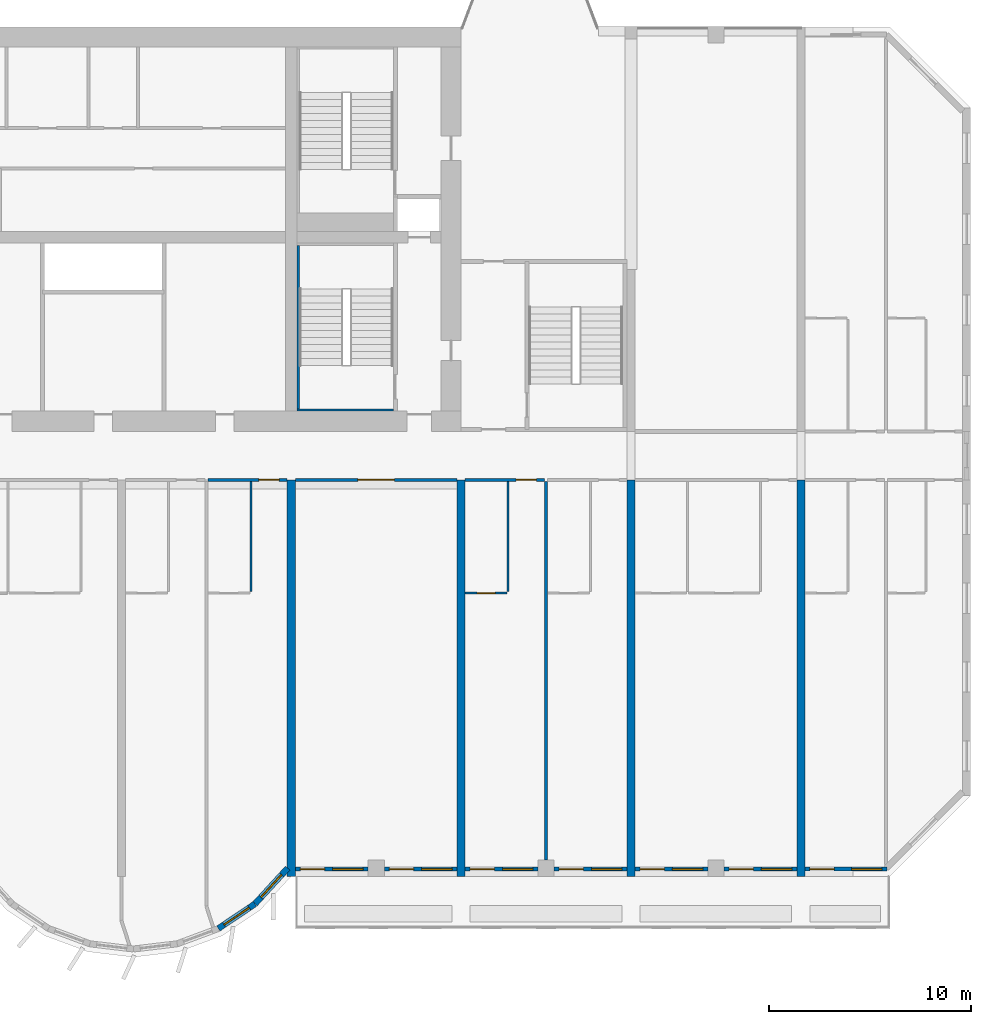
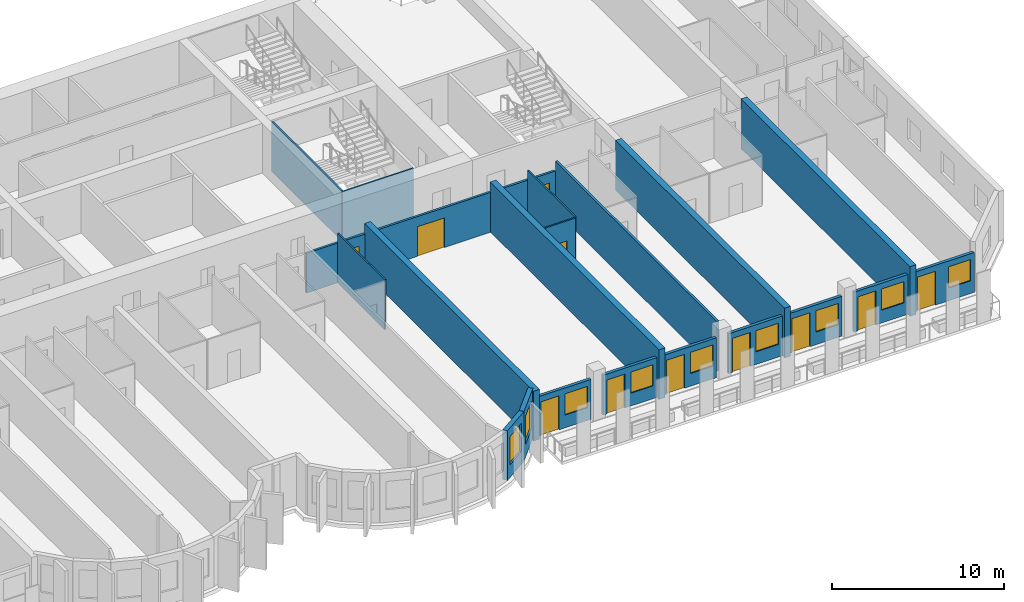
# One storey, part 8 of 14: 22 walls, 11 doors, 9 windows, 20 openings.
"""IFC4 building model written with IfcOpenShell, lengths in metres."""

from ifc_helpers import new_model, si_unit, direction, frame, frame_2d, origin, place, context, subcontext, project, spatial, rectangle, extrude, source, transform, mapped, material, layer, layer_set, type_object, element, fill, save


model = new_model("IFC4")

# Units and contexts
model_context = context("Model", 3, precision=1e-05, world=origin(), true_north=direction((0.0, 1.0)))
body_context = subcontext(model_context, "Body", "Model", "MODEL_VIEW")
ifc_project = project(units=[si_unit("LENGTHUNIT", "METRE"), si_unit("AREAUNIT", "SQUARE_METRE"), si_unit("VOLUMEUNIT", "CUBIC_METRE"), si_unit("PLANEANGLEUNIT", "RADIAN"), si_unit("MASSUNIT", "GRAM", prefix="KILO")], contexts=[model_context])

# Site, building, storey
site_placement = place(None, origin())
site = spatial("IfcSite", under=ifc_project, at=site_placement, CompositionType="ELEMENT")
building_placement = place(site_placement, origin())
building = spatial("IfcBuilding", under=site, at=building_placement, Name="Vanashikhar Sky Hotel", CompositionType="ELEMENT")
storey_placement = place(building_placement, frame((0.0, 0.0, 73.39990234375)))
storey = spatial("IfcBuildingStorey", under=building, at=storey_placement, Name="L17", CompositionType="ELEMENT", Elevation=73.39990234375)

# Walls
ifc_material_1 = material(Name="Concrete M80", Category="concrete")
ifc_layer_1 = layer(ifc_material_1, 0.39990234375)
ifc_layer_set_1 = layer_set([ifc_layer_1], Name="RC shear wall 400 Concrete M80")
wall_type_1 = type_object("IfcWallType", Name="RC shear wall 400 Concrete M80", PredefinedType="SHEAR", material=ifc_layer_set_1)
shared_shape_1 = source(origin(), body_context, "Body", "SweptSolid", [
    extrude(rectangle(XDim=19.60009765625, YDim=0.39990234375, at=frame_2d((9.800048828125, 0.0))), origin(), (0.0, 0.0, 1.0), 3.52001953125),
])
for number, where, z_axis, x_axis, name in (
    (1, (67.199951171875, 0.0, 0.0), (0.0, 0.0, 1.0), (0.0, 1.0, 0.0), "CW-L17-XW09-1"),
    (2, (75.60009765625, 0.0, 0.0), (0.0, 0.0, 1.0), (0.0, 1.0, 0.0), "CW-L17-XW10-1"),
    (3, (84.0, 0.0, 0.0), (0.0, 0.0, 1.0), (0.0, 1.0, 0.0), "CW-L17-XW11-1"),
    (4, (92.39990234375, 0.0, 0.0), (0.0, 0.0, 1.0), (0.0, 1.0, 0.0), "CW-L17-XW12-1"),
):
    element("IfcWall", number, at=place(storey_placement, frame(where, z_axis=z_axis, x_axis=x_axis)), inside=storey, type_object=wall_type_1, Name=name, PredefinedType="SHEAR", context=body_context, shape_type="MappedRepresentation", body=[
        mapped(shared_shape_1, transform((0.0, 0.0, 0.0), scale=1.0)),
    ])

# Wall, opening, window
ifc_material_2 = material(Name="Concrete M50", Category="concrete")
ifc_layer_2 = layer(ifc_material_2, 0.300048828125)
ifc_layer_set_2 = layer_set([ifc_layer_2], Name="Lobe wall 300")
wall_type_2 = type_object("IfcWallType", Name="Lobe wall 300", PredefinedType="SOLIDWALL", material=ifc_layer_set_2)
shared_shape_2 = source(origin(), body_context, "Body", "SweptSolid", [
    extrude(rectangle(XDim=2.398193359375, YDim=0.300048828125, at=frame_2d((1.19921875, 0.0))), origin(), (0.0, 0.0, 1.0), 3.52001953125),
])
wall_1_placement = place(storey_placement, frame((65.404296875, -1.36865234375, 0.0), z_axis=(0.0, 0.0, 1.0), x_axis=(0.675374189419, 0.737475222815, 0.0)))
wall_1 = element("IfcWall", 5, at=wall_1_placement, inside=storey, type_object=wall_type_2, Name="Lobe wall", PredefinedType="SOLIDWALL", context=body_context, shape_type="MappedRepresentation", body=[
    mapped(shared_shape_2, transform((0.0, 0.0, 0.0), scale=1.0)),
])
shared_shape_3 = source(origin(), body_context, "Body", "SweptSolid", [
    extrude(rectangle(XDim=1.5, YDim=2.0, at=frame_2d((0.75, 1.0))), frame((0.0, 0.16015625, 0.0), z_axis=(0.0, -1.0, 0.0), x_axis=(1.0, 0.0, 0.0)), (0.0, 0.0, 1.0), 0.320068359375),
])
opening_1_placement = place(wall_1_placement, frame((0.44921875, 0.0, 0.89990234375)))
opening_1 = element("IfcOpeningElement", 6, at=opening_1_placement, cuts=wall_1, Name="Opening WN-2", PredefinedType="OPENING", context=body_context, shape_type="MappedRepresentation", body=[
    mapped(shared_shape_3, transform((0.0, 0.0, 0.0), scale=1.0)),
])
ifc_material_3 = material(Name="Glass", Category="glass")
window_type_1 = type_object("IfcWindowType", Name="Lobe window 1500 x 2000", PartitioningType="SINGLE_PANEL", PredefinedType="WINDOW", material=ifc_material_3)
shared_shape_4 = source(origin(), body_context, "Body", "SweptSolid", [
    extrude(rectangle(XDim=1.5, YDim=2.0, at=frame_2d((0.75, 1.0))), frame((0.0, 0.030029296875, 0.0), z_axis=(0.0, -1.0, 0.0), x_axis=(1.0, 0.0, 0.0)), (0.0, 0.0, 1.0), 0.06005859375),
])
window_1_placement = place(opening_1_placement, origin())
window_1 = element("IfcWindow", 7, at=window_1_placement, inside=storey, type_object=window_type_1, Name="Window WN-2", OverallHeight=2.0, OverallWidth=1.5, PartitioningType="SINGLE_PANEL", PredefinedType="WINDOW", context=body_context, shape_type="MappedRepresentation", body=[
    mapped(shared_shape_4, transform((0.0, 0.0, 0.0), scale=1.0)),
])
fill(opening_1, window_1)

shared_shape_5 = source(origin(), body_context, "Body", "SweptSolid", [
    extrude(rectangle(XDim=2.17578125, YDim=0.300048828125, at=frame_2d((1.087890625, 0.0))), origin(), (0.0, 0.0, 1.0), 3.52001953125),
])
wall_2_placement = place(storey_placement, frame((63.59912109375, -2.58349609375, 0.0), z_axis=(0.0, 0.0, 1.0), x_axis=(0.829625727223, 0.558319937607, 0.0)))
wall_2 = element("IfcWall", 8, at=wall_2_placement, inside=storey, type_object=wall_type_2, Name="Lobe wall", PredefinedType="SOLIDWALL", context=body_context, shape_type="MappedRepresentation", body=[
    mapped(shared_shape_5, transform((0.0, 0.0, 0.0), scale=1.0)),
])
opening_2_placement = place(wall_2_placement, frame((0.337890625, 0.0, 0.89990234375)))
opening_2 = element("IfcOpeningElement", 9, at=opening_2_placement, cuts=wall_2, Name="Opening WN-2", PredefinedType="OPENING", context=body_context, shape_type="MappedRepresentation", body=[
    mapped(shared_shape_3, transform((0.0, 0.0, 0.0), scale=1.0)),
])
window_2_placement = place(opening_2_placement, origin())
window_2 = element("IfcWindow", 10, at=window_2_placement, inside=storey, type_object=window_type_1, Name="Window WN-2", OverallHeight=2.0, OverallWidth=1.5, PartitioningType="SINGLE_PANEL", PredefinedType="WINDOW", context=body_context, shape_type="MappedRepresentation", body=[
    mapped(shared_shape_4, transform((0.0, 0.0, 0.0), scale=1.0)),
])
fill(opening_2, window_2)

# Wall, openings, window, door
ifc_layer_3 = layer(ifc_material_2, 0.199951171875)
ifc_layer_set_3 = layer_set([ifc_layer_3], Name="Front window wall 200")
wall_type_3 = type_object("IfcWallType", Name="Front window wall 200", PredefinedType="SOLIDWALL", material=ifc_layer_set_3)
shared_shape_6 = source(origin(), body_context, "Body", "SweptSolid", [
    extrude(rectangle(XDim=4.054931640625, YDim=0.199951171875, at=frame_2d((2.02734375, 0.0))), origin(), (0.0, 0.0, 1.0), 2.820068359375),
])
wall_3_placement = place(storey_placement, frame((92.60009765625, 0.35009765625, 0.0), z_axis=(0.0, 0.0, 1.0), x_axis=(1.0, 0.0, 0.0)))
wall_3 = element("IfcWall", 11, at=wall_3_placement, inside=storey, type_object=wall_type_3, Name="Front window wall", PredefinedType="SOLIDWALL", context=body_context, shape_type="MappedRepresentation", body=[
    mapped(shared_shape_6, transform((0.0, 0.0, 0.0), scale=1.0)),
])
shared_shape_7 = source(origin(), body_context, "Body", "SweptSolid", [
    extrude(rectangle(XDim=1.199951171875, YDim=2.39990234375, at=frame_2d((0.60009765625, 1.199951171875))), frame((0.0, 0.10986328125, 0.0), z_axis=(0.0, -1.0, 0.0), x_axis=(1.0, 0.0, 0.0)), (0.0, 0.0, 1.0), 0.219970703125),
])
opening_3_placement = place(wall_3_placement, frame((0.25, 0.0, 0.0)))
opening_3 = element("IfcOpeningElement", 12, at=opening_3_placement, cuts=wall_3, Name="Opening BD-14", PredefinedType="OPENING", context=body_context, shape_type="MappedRepresentation", body=[
    mapped(shared_shape_7, transform((0.0, 0.0, 0.0), scale=1.0)),
])
shared_shape_8 = source(origin(), body_context, "Body", "SweptSolid", [
    extrude(rectangle(XDim=1.5, YDim=1.5, at=frame_2d((0.75, 0.75))), frame((0.0, 0.10986328125, 0.0), z_axis=(0.0, -1.0, 0.0), x_axis=(1.0, 0.0, 0.0)), (0.0, 0.0, 1.0), 0.219970703125),
])
opening_4_placement = place(wall_3_placement, frame((2.304931640625, 0.0, 0.89990234375)))
opening_4 = element("IfcOpeningElement", 13, at=opening_4_placement, cuts=wall_3, Name="Opening WN-1", PredefinedType="OPENING", context=body_context, shape_type="MappedRepresentation", body=[
    mapped(shared_shape_8, transform((0.0, 0.0, 0.0), scale=1.0)),
])
window_type_2 = type_object("IfcWindowType", Name="Window 1500 x 1500", PartitioningType="SINGLE_PANEL", PredefinedType="WINDOW", material=ifc_material_3)
shared_shape_9 = source(origin(), body_context, "Body", "SweptSolid", [
    extrude(rectangle(XDim=1.5, YDim=1.5, at=frame_2d((0.75, 0.75))), frame((0.0, 0.030029296875, 0.0), z_axis=(0.0, -1.0, 0.0), x_axis=(1.0, 0.0, 0.0)), (0.0, 0.0, 1.0), 0.06005859375),
])
window_3_placement = place(opening_4_placement, origin())
window_3 = element("IfcWindow", 14, at=window_3_placement, inside=storey, type_object=window_type_2, Name="Window WN-1", OverallHeight=1.5, OverallWidth=1.5, PartitioningType="SINGLE_PANEL", PredefinedType="WINDOW", context=body_context, shape_type="MappedRepresentation", body=[
    mapped(shared_shape_9, transform((0.0, 0.0, 0.0), scale=1.0)),
])
fill(opening_4, window_3)
ifc_material_4 = material(Name="Aluminium", Category="aluminium")
door_type_1 = type_object("IfcDoorType", Name="Balcony sliding door 1200 x 2400", OperationType="NOTDEFINED", PredefinedType="DOOR", material=ifc_material_4)
shared_shape_10 = source(origin(), body_context, "Body", "SweptSolid", [
    extrude(rectangle(XDim=1.199951171875, YDim=2.39990234375, at=frame_2d((0.60009765625, 1.199951171875))), frame((0.0, 0.02490234375, 0.0), z_axis=(0.0, -1.0, 0.0), x_axis=(1.0, 0.0, 0.0)), (0.0, 0.0, 1.0), 0.050048828125),
])
door_1_placement = place(opening_3_placement, origin())
door_1 = element("IfcDoor", 15, at=door_1_placement, inside=storey, type_object=door_type_1, Name="Balcony sliding door", OperationType="SLIDING_TO_RIGHT", OverallHeight=2.39990234375, OverallWidth=1.199951171875, PredefinedType="DOOR", context=body_context, shape_type="MappedRepresentation", body=[
    mapped(shared_shape_10, transform((0.0, 0.0, 0.0), scale=1.0)),
])
fill(opening_3, door_1)

shared_shape_11 = source(origin(), body_context, "Body", "SweptSolid", [
    extrude(rectangle(XDim=3.599853515625, YDim=0.199951171875, at=frame_2d((1.7998046875, 0.0))), origin(), (0.0, 0.0, 1.0), 2.820068359375),
])
wall_4_placement = place(storey_placement, frame((71.800048828125, 0.35009765625, 0.0), z_axis=(0.0, 0.0, 1.0), x_axis=(1.0, 0.0, 0.0)))
wall_4 = element("IfcWall", 16, at=wall_4_placement, inside=storey, type_object=wall_type_3, Name="Front window wall", PredefinedType="SOLIDWALL", context=body_context, shape_type="MappedRepresentation", body=[
    mapped(shared_shape_11, transform((0.0, 0.0, 0.0), scale=1.0)),
])
opening_5_placement = place(wall_4_placement, frame((0.25, 0.0, 0.0)))
opening_5 = element("IfcOpeningElement", 17, at=opening_5_placement, cuts=wall_4, Name="Opening BD-09", PredefinedType="OPENING", context=body_context, shape_type="MappedRepresentation", body=[
    mapped(shared_shape_7, transform((0.0, 0.0, 0.0), scale=1.0)),
])
opening_6_placement = place(wall_4_placement, frame((1.85009765625, 0.0, 0.89990234375)))
opening_6 = element("IfcOpeningElement", 18, at=opening_6_placement, cuts=wall_4, Name="Opening WN-1", PredefinedType="OPENING", context=body_context, shape_type="MappedRepresentation", body=[
    mapped(shared_shape_8, transform((0.0, 0.0, 0.0), scale=1.0)),
])
window_4_placement = place(opening_6_placement, origin())
window_4 = element("IfcWindow", 19, at=window_4_placement, inside=storey, type_object=window_type_2, Name="Window WN-1", OverallHeight=1.5, OverallWidth=1.5, PartitioningType="SINGLE_PANEL", PredefinedType="WINDOW", context=body_context, shape_type="MappedRepresentation", body=[
    mapped(shared_shape_9, transform((0.0, 0.0, 0.0), scale=1.0)),
])
fill(opening_6, window_4)
door_2_placement = place(opening_5_placement, origin())
door_2 = element("IfcDoor", 20, at=door_2_placement, inside=storey, type_object=door_type_1, Name="Balcony sliding door", OperationType="SLIDING_TO_LEFT", OverallHeight=2.39990234375, OverallWidth=1.199951171875, PredefinedType="DOOR", context=body_context, shape_type="MappedRepresentation", body=[
    mapped(shared_shape_10, transform((0.0, 0.0, 0.0), scale=1.0)),
])
fill(opening_5, door_2)

wall_5_placement = place(storey_placement, frame((75.800048828125, 0.35009765625, 0.0), z_axis=(0.0, 0.0, 1.0), x_axis=(1.0, 0.0, 0.0)))
wall_5 = element("IfcWall", 21, at=wall_5_placement, inside=storey, type_object=wall_type_3, Name="Front window wall", PredefinedType="SOLIDWALL", context=body_context, shape_type="MappedRepresentation", body=[
    mapped(shared_shape_11, transform((0.0, 0.0, 0.0), scale=1.0)),
])
opening_7_placement = place(wall_5_placement, frame((0.25, 0.0, 0.0)))
opening_7 = element("IfcOpeningElement", 22, at=opening_7_placement, cuts=wall_5, Name="Opening BD-10", PredefinedType="OPENING", context=body_context, shape_type="MappedRepresentation", body=[
    mapped(shared_shape_7, transform((0.0, 0.0, 0.0), scale=1.0)),
])
opening_8_placement = place(wall_5_placement, frame((1.85009765625, 0.0, 0.89990234375)))
opening_8 = element("IfcOpeningElement", 23, at=opening_8_placement, cuts=wall_5, Name="Opening WN-1", PredefinedType="OPENING", context=body_context, shape_type="MappedRepresentation", body=[
    mapped(shared_shape_8, transform((0.0, 0.0, 0.0), scale=1.0)),
])
window_5_placement = place(opening_8_placement, origin())
window_5 = element("IfcWindow", 24, at=window_5_placement, inside=storey, type_object=window_type_2, Name="Window WN-1", OverallHeight=1.5, OverallWidth=1.5, PartitioningType="SINGLE_PANEL", PredefinedType="WINDOW", context=body_context, shape_type="MappedRepresentation", body=[
    mapped(shared_shape_9, transform((0.0, 0.0, 0.0), scale=1.0)),
])
fill(opening_8, window_5)
door_3_placement = place(opening_7_placement, origin())
door_3 = element("IfcDoor", 25, at=door_3_placement, inside=storey, type_object=door_type_1, Name="Balcony sliding door", OperationType="SLIDING_TO_RIGHT", OverallHeight=2.39990234375, OverallWidth=1.199951171875, PredefinedType="DOOR", context=body_context, shape_type="MappedRepresentation", body=[
    mapped(shared_shape_10, transform((0.0, 0.0, 0.0), scale=1.0)),
])
fill(opening_7, door_3)

wall_6_placement = place(storey_placement, frame((88.60009765625, 0.35009765625, 0.0), z_axis=(0.0, 0.0, 1.0), x_axis=(1.0, 0.0, 0.0)))
wall_6 = element("IfcWall", 26, at=wall_6_placement, inside=storey, type_object=wall_type_3, Name="Front window wall", PredefinedType="SOLIDWALL", context=body_context, shape_type="MappedRepresentation", body=[
    mapped(shared_shape_11, transform((0.0, 0.0, 0.0), scale=1.0)),
])
opening_9_placement = place(wall_6_placement, frame((0.25, 0.0, 0.0)))
opening_9 = element("IfcOpeningElement", 27, at=opening_9_placement, cuts=wall_6, Name="Opening BD-13", PredefinedType="OPENING", context=body_context, shape_type="MappedRepresentation", body=[
    mapped(shared_shape_7, transform((0.0, 0.0, 0.0), scale=1.0)),
])
opening_10_placement = place(wall_6_placement, frame((1.85009765625, 0.0, 0.89990234375)))
opening_10 = element("IfcOpeningElement", 28, at=opening_10_placement, cuts=wall_6, Name="Opening WN-1", PredefinedType="OPENING", context=body_context, shape_type="MappedRepresentation", body=[
    mapped(shared_shape_8, transform((0.0, 0.0, 0.0), scale=1.0)),
])
window_6_placement = place(opening_10_placement, origin())
window_6 = element("IfcWindow", 29, at=window_6_placement, inside=storey, type_object=window_type_2, Name="Window WN-1", OverallHeight=1.5, OverallWidth=1.5, PartitioningType="SINGLE_PANEL", PredefinedType="WINDOW", context=body_context, shape_type="MappedRepresentation", body=[
    mapped(shared_shape_9, transform((0.0, 0.0, 0.0), scale=1.0)),
])
fill(opening_10, window_6)
door_4_placement = place(opening_9_placement, origin())
door_4 = element("IfcDoor", 30, at=door_4_placement, inside=storey, type_object=door_type_1, Name="Balcony sliding door", OperationType="SLIDING_TO_LEFT", OverallHeight=2.39990234375, OverallWidth=1.199951171875, PredefinedType="DOOR", context=body_context, shape_type="MappedRepresentation", body=[
    mapped(shared_shape_10, transform((0.0, 0.0, 0.0), scale=1.0)),
])
fill(opening_9, door_4)

shared_shape_12 = source(origin(), body_context, "Body", "SweptSolid", [
    extrude(rectangle(XDim=3.60009765625, YDim=0.199951171875, at=frame_2d((1.800048828125, 0.0))), origin(), (0.0, 0.0, 1.0), 2.820068359375),
])
wall_7_placement = place(storey_placement, frame((67.39990234375, 0.35009765625, 0.0), z_axis=(0.0, 0.0, 1.0), x_axis=(1.0, 0.0, 0.0)))
wall_7 = element("IfcWall", 31, at=wall_7_placement, inside=storey, type_object=wall_type_3, Name="Front window wall", PredefinedType="SOLIDWALL", context=body_context, shape_type="MappedRepresentation", body=[
    mapped(shared_shape_12, transform((0.0, 0.0, 0.0), scale=1.0)),
])
opening_11_placement = place(wall_7_placement, frame((0.25, 0.0, 0.0)))
opening_11 = element("IfcOpeningElement", 32, at=opening_11_placement, cuts=wall_7, Name="Opening BD-08", PredefinedType="OPENING", context=body_context, shape_type="MappedRepresentation", body=[
    mapped(shared_shape_7, transform((0.0, 0.0, 0.0), scale=1.0)),
])
opening_12_placement = place(wall_7_placement, frame((1.85009765625, 0.0, 0.89990234375)))
opening_12 = element("IfcOpeningElement", 33, at=opening_12_placement, cuts=wall_7, Name="Opening WN-1", PredefinedType="OPENING", context=body_context, shape_type="MappedRepresentation", body=[
    mapped(shared_shape_8, transform((0.0, 0.0, 0.0), scale=1.0)),
])
window_7_placement = place(opening_12_placement, origin())
window_7 = element("IfcWindow", 34, at=window_7_placement, inside=storey, type_object=window_type_2, Name="Window WN-1", OverallHeight=1.5, OverallWidth=1.5, PartitioningType="SINGLE_PANEL", PredefinedType="WINDOW", context=body_context, shape_type="MappedRepresentation", body=[
    mapped(shared_shape_9, transform((0.0, 0.0, 0.0), scale=1.0)),
])
fill(opening_12, window_7)
door_5_placement = place(opening_11_placement, origin())
door_5 = element("IfcDoor", 35, at=door_5_placement, inside=storey, type_object=door_type_1, Name="Balcony sliding door", OperationType="SLIDING_TO_RIGHT", OverallHeight=2.39990234375, OverallWidth=1.199951171875, PredefinedType="DOOR", context=body_context, shape_type="MappedRepresentation", body=[
    mapped(shared_shape_10, transform((0.0, 0.0, 0.0), scale=1.0)),
])
fill(opening_11, door_5)

wall_8_placement = place(storey_placement, frame((80.199951171875, 0.35009765625, 0.0), z_axis=(0.0, 0.0, 1.0), x_axis=(1.0, 0.0, 0.0)))
wall_8 = element("IfcWall", 36, at=wall_8_placement, inside=storey, type_object=wall_type_3, Name="Front window wall", PredefinedType="SOLIDWALL", context=body_context, shape_type="MappedRepresentation", body=[
    mapped(shared_shape_12, transform((0.0, 0.0, 0.0), scale=1.0)),
])
opening_13_placement = place(wall_8_placement, frame((0.25, 0.0, 0.0)))
opening_13 = element("IfcOpeningElement", 37, at=opening_13_placement, cuts=wall_8, Name="Opening BD-11", PredefinedType="OPENING", context=body_context, shape_type="MappedRepresentation", body=[
    mapped(shared_shape_7, transform((0.0, 0.0, 0.0), scale=1.0)),
])
opening_14_placement = place(wall_8_placement, frame((1.85009765625, 0.0, 0.89990234375)))
opening_14 = element("IfcOpeningElement", 38, at=opening_14_placement, cuts=wall_8, Name="Opening WN-1", PredefinedType="OPENING", context=body_context, shape_type="MappedRepresentation", body=[
    mapped(shared_shape_8, transform((0.0, 0.0, 0.0), scale=1.0)),
])
window_8_placement = place(opening_14_placement, origin())
window_8 = element("IfcWindow", 39, at=window_8_placement, inside=storey, type_object=window_type_2, Name="Window WN-1", OverallHeight=1.5, OverallWidth=1.5, PartitioningType="SINGLE_PANEL", PredefinedType="WINDOW", context=body_context, shape_type="MappedRepresentation", body=[
    mapped(shared_shape_9, transform((0.0, 0.0, 0.0), scale=1.0)),
])
fill(opening_14, window_8)
door_6_placement = place(opening_13_placement, origin())
door_6 = element("IfcDoor", 40, at=door_6_placement, inside=storey, type_object=door_type_1, Name="Balcony sliding door", OperationType="SLIDING_TO_LEFT", OverallHeight=2.39990234375, OverallWidth=1.199951171875, PredefinedType="DOOR", context=body_context, shape_type="MappedRepresentation", body=[
    mapped(shared_shape_10, transform((0.0, 0.0, 0.0), scale=1.0)),
])
fill(opening_13, door_6)

wall_9_placement = place(storey_placement, frame((84.199951171875, 0.35009765625, 0.0), z_axis=(0.0, 0.0, 1.0), x_axis=(1.0, 0.0, 0.0)))
wall_9 = element("IfcWall", 41, at=wall_9_placement, inside=storey, type_object=wall_type_3, Name="Front window wall", PredefinedType="SOLIDWALL", context=body_context, shape_type="MappedRepresentation", body=[
    mapped(shared_shape_12, transform((0.0, 0.0, 0.0), scale=1.0)),
])
opening_15_placement = place(wall_9_placement, frame((0.25, 0.0, 0.0)))
opening_15 = element("IfcOpeningElement", 42, at=opening_15_placement, cuts=wall_9, Name="Opening BD-12", PredefinedType="OPENING", context=body_context, shape_type="MappedRepresentation", body=[
    mapped(shared_shape_7, transform((0.0, 0.0, 0.0), scale=1.0)),
])
opening_16_placement = place(wall_9_placement, frame((1.85009765625, 0.0, 0.89990234375)))
opening_16 = element("IfcOpeningElement", 43, at=opening_16_placement, cuts=wall_9, Name="Opening WN-1", PredefinedType="OPENING", context=body_context, shape_type="MappedRepresentation", body=[
    mapped(shared_shape_8, transform((0.0, 0.0, 0.0), scale=1.0)),
])
window_9_placement = place(opening_16_placement, origin())
window_9 = element("IfcWindow", 44, at=window_9_placement, inside=storey, type_object=window_type_2, Name="Window WN-1", OverallHeight=1.5, OverallWidth=1.5, PartitioningType="SINGLE_PANEL", PredefinedType="WINDOW", context=body_context, shape_type="MappedRepresentation", body=[
    mapped(shared_shape_9, transform((0.0, 0.0, 0.0), scale=1.0)),
])
fill(opening_16, window_9)
door_7_placement = place(opening_15_placement, origin())
door_7 = element("IfcDoor", 45, at=door_7_placement, inside=storey, type_object=door_type_1, Name="Balcony sliding door", OperationType="SLIDING_TO_RIGHT", OverallHeight=2.39990234375, OverallWidth=1.199951171875, PredefinedType="DOOR", context=body_context, shape_type="MappedRepresentation", body=[
    mapped(shared_shape_10, transform((0.0, 0.0, 0.0), scale=1.0)),
])
fill(opening_15, door_7)

# Walls
ifc_layer_4 = layer(ifc_material_2, 0.10009765625)
ifc_layer_set_4 = layer_set([ifc_layer_4], Name="Stair infill wall 100")
wall_type_4 = type_object("IfcWallType", Name="Stair infill wall 100", PredefinedType="SOLIDWALL", material=ifc_layer_set_4)
shared_shape_13 = source(origin(), body_context, "Body", "SweptSolid", [
    extrude(rectangle(XDim=4.77490234375, YDim=0.10009765625, at=frame_2d((2.387451171875, 0.0))), origin(), (0.0, 0.0, 1.0), 3.52001953125),
])
wall_10_placement = place(storey_placement, frame((67.47509765625, 23.050048828125, 0.0), z_axis=(0.0, 0.0, 1.0), x_axis=(1.0, 0.0, 0.0)))
element("IfcWall", 46, at=wall_10_placement, inside=storey, type_object=wall_type_4, Name="Stair infill wall 100", PredefinedType="SOLIDWALL", context=body_context, shape_type="MappedRepresentation", body=[
    mapped(shared_shape_13, transform((0.0, 0.0, 0.0), scale=1.0)),
])
ifc_layer_5 = layer(ifc_material_2, 0.125)
ifc_layer_set_5 = layer_set([ifc_layer_5], Name="Stair infill wall 125")
wall_type_5 = type_object("IfcWallType", Name="Stair infill wall 125", PredefinedType="SOLIDWALL", material=ifc_layer_set_5)
shared_shape_14 = source(origin(), body_context, "Body", "SweptSolid", [
    extrude(rectangle(XDim=8.099853515625, YDim=0.125, at=frame_2d((4.0498046875, 0.0))), origin(), (0.0, 0.0, 1.0), 3.52001953125),
])
wall_11_placement = place(storey_placement, frame((67.537109375, 23.10009765625, 0.0), z_axis=(0.0, 0.0, 1.0), x_axis=(0.0, 1.0, 0.0)))
element("IfcWall", 47, at=wall_11_placement, inside=storey, type_object=wall_type_5, Name="Stair infill wall 125", PredefinedType="SOLIDWALL", context=body_context, shape_type="MappedRepresentation", body=[
    mapped(shared_shape_14, transform((0.0, 0.0, 0.0), scale=1.0)),
])

# Wall, opening, door
ifc_material_5 = material(Name="Gypsum plasterboard partition")
ifc_layer_6 = layer(ifc_material_5, 0.10009765625)
ifc_layer_set_6 = layer_set([ifc_layer_6], Name="Wet room partition 100")
wall_type_6 = type_object("IfcWallType", Name="Wet room partition 100", PredefinedType="PARTITIONING", material=ifc_layer_set_6)
shared_shape_15 = source(origin(), body_context, "Body", "SweptSolid", [
    extrude(rectangle(XDim=2.074951171875, YDim=0.10009765625, at=frame_2d((1.03759765625, 0.0))), origin(), (0.0, 0.0, 1.0), 3.52001953125),
])
wall_12_placement = place(storey_placement, frame((75.800048828125, 14.0, 0.0), z_axis=(0.0, 0.0, 1.0), x_axis=(1.0, 0.0, 0.0)))
wall_12 = element("IfcWall", 48, at=wall_12_placement, inside=storey, type_object=wall_type_6, Name="W-L17-PW051", PredefinedType="PARTITIONING", context=body_context, shape_type="MappedRepresentation", body=[
    mapped(shared_shape_15, transform((0.0, 0.0, 0.0), scale=1.0)),
])
shared_shape_16 = source(origin(), body_context, "Body", "SweptSolid", [
    extrude(rectangle(XDim=0.89990234375, YDim=2.10009765625, at=frame_2d((0.449951171875, 1.050048828125))), frame((0.0, 0.06005859375, 0.0), z_axis=(0.0, -1.0, 0.0), x_axis=(1.0, 0.0, 0.0)), (0.0, 0.0, 1.0), 0.1201171875),
])
opening_17_placement = place(wall_12_placement, frame((0.587890625, 0.0, 0.0)))
opening_17 = element("IfcOpeningElement", 49, at=opening_17_placement, cuts=wall_12, Name="Opening D-02", PredefinedType="OPENING", context=body_context, shape_type="MappedRepresentation", body=[
    mapped(shared_shape_16, transform((0.0, 0.0, 0.0), scale=1.0)),
])
ifc_material_6 = material(Name="Timber door", Category="wood")
door_type_2 = type_object("IfcDoorType", Name="Internal door 900", OperationType="NOTDEFINED", PredefinedType="DOOR", material=ifc_material_6)
shared_shape_17 = source(origin(), body_context, "Body", "SweptSolid", [
    extrude(rectangle(XDim=0.89990234375, YDim=2.10009765625, at=frame_2d((0.449951171875, 1.050048828125))), frame((0.0, 0.02490234375, 0.0), z_axis=(0.0, -1.0, 0.0), x_axis=(1.0, 0.0, 0.0)), (0.0, 0.0, 1.0), 0.050048828125),
])
door_8_placement = place(opening_17_placement, origin())
door_8 = element("IfcDoor", 50, at=door_8_placement, inside=storey, type_object=door_type_2, Name="D-L17-030", OperationType="SINGLE_SWING_RIGHT", OverallHeight=2.10009765625, OverallWidth=0.89990234375, PredefinedType="DOOR", context=body_context, shape_type="MappedRepresentation", body=[
    mapped(shared_shape_17, transform((0.0, 0.0, 0.0), scale=1.0)),
])
fill(opening_17, door_8)

ifc_layer_7 = layer(ifc_material_5, 0.14990234375)
ifc_layer_set_7 = layer_set([ifc_layer_7], Name="Corridor and demising partition 150")
wall_type_7 = type_object("IfcWallType", Name="Corridor and demising partition 150", PredefinedType="PARTITIONING", material=ifc_layer_set_7)
shared_shape_18 = source(origin(), body_context, "Body", "SweptSolid", [
    extrude(rectangle(XDim=3.925048828125, YDim=0.14990234375, at=frame_2d((1.96240234375, 0.0))), origin(), (0.0, 0.0, 1.0), 2.820068359375),
])
wall_13_placement = place(storey_placement, frame((63.074951171875, 19.60009765625, 0.0), z_axis=(0.0, 0.0, 1.0), x_axis=(1.0, 0.0, 0.0)))
wall_13 = element("IfcWall", 51, at=wall_13_placement, inside=storey, type_object=wall_type_7, Name="W-L17-PW047", PredefinedType="PARTITIONING", context=body_context, shape_type="MappedRepresentation", body=[
    mapped(shared_shape_18, transform((0.0, 0.0, 0.0), scale=1.0)),
])
shared_shape_19 = source(origin(), body_context, "Body", "SweptSolid", [
    extrude(rectangle(XDim=1.0, YDim=2.10009765625, at=frame_2d((0.5, 1.050048828125))), frame((0.0, 0.0849609375, 0.0), z_axis=(0.0, -1.0, 0.0), x_axis=(1.0, 0.0, 0.0)), (0.0, 0.0, 1.0), 0.169921875),
])
opening_18_placement = place(wall_13_placement, frame((2.52490234375, 0.0, 0.0)))
opening_18 = element("IfcOpeningElement", 52, at=opening_18_placement, cuts=wall_13, Name="Opening D-01", PredefinedType="OPENING", context=body_context, shape_type="MappedRepresentation", body=[
    mapped(shared_shape_19, transform((0.0, 0.0, 0.0), scale=1.0)),
])
ifc_material_7 = material(Name="Timber fire door", Category="wood")
door_type_3 = type_object("IfcDoorType", Name="Guest entry door 1000 FD30S", OperationType="NOTDEFINED", PredefinedType="DOOR", material=ifc_material_7)
shared_shape_20 = source(origin(), body_context, "Body", "SweptSolid", [
    extrude(rectangle(XDim=1.0, YDim=2.10009765625, at=frame_2d((0.5, 1.050048828125))), frame((0.0, 0.02490234375, 0.0), z_axis=(0.0, -1.0, 0.0), x_axis=(1.0, 0.0, 0.0)), (0.0, 0.0, 1.0), 0.050048828125),
])
door_9_placement = place(opening_18_placement, origin())
door_9 = element("IfcDoor", 53, at=door_9_placement, inside=storey, type_object=door_type_3, Name="D-L17-028", OperationType="SINGLE_SWING_RIGHT", OverallHeight=2.10009765625, OverallWidth=1.0, PredefinedType="DOOR", context=body_context, shape_type="MappedRepresentation", body=[
    mapped(shared_shape_20, transform((0.0, 0.0, 0.0), scale=1.0)),
])
fill(opening_18, door_9)

wall_14_placement = place(storey_placement, frame((75.800048828125, 19.60009765625, 0.0), z_axis=(0.0, 0.0, 1.0), x_axis=(1.0, 0.0, 0.0)))
wall_14 = element("IfcWall", 54, at=wall_14_placement, inside=storey, type_object=wall_type_7, Name="W-L17-PW052", PredefinedType="PARTITIONING", context=body_context, shape_type="MappedRepresentation", body=[
    mapped(shared_shape_18, transform((0.0, 0.0, 0.0), scale=1.0)),
])
opening_19_placement = place(wall_14_placement, frame((2.52490234375, 0.0, 0.0)))
opening_19 = element("IfcOpeningElement", 55, at=opening_19_placement, cuts=wall_14, Name="Opening D-01", PredefinedType="OPENING", context=body_context, shape_type="MappedRepresentation", body=[
    mapped(shared_shape_19, transform((0.0, 0.0, 0.0), scale=1.0)),
])
door_10_placement = place(opening_19_placement, origin())
door_10 = element("IfcDoor", 56, at=door_10_placement, inside=storey, type_object=door_type_3, Name="D-L17-031", OperationType="SINGLE_SWING_RIGHT", OverallHeight=2.10009765625, OverallWidth=1.0, PredefinedType="DOOR", context=body_context, shape_type="MappedRepresentation", body=[
    mapped(shared_shape_20, transform((0.0, 0.0, 0.0), scale=1.0)),
])
fill(opening_19, door_10)

# Wall
shared_shape_21 = source(origin(), body_context, "Body", "SweptSolid", [
    extrude(rectangle(XDim=18.724853515625, YDim=0.14990234375, at=frame_2d((9.3623046875, 0.0))), origin(), (0.0, 0.0, 1.0), 3.52001953125),
])
wall_15_placement = place(storey_placement, frame((79.800048828125, 0.800048828125, 0.0), z_axis=(0.0, 0.0, 1.0), x_axis=(0.0, 1.0, 0.0)))
element("IfcWall", 57, at=wall_15_placement, inside=storey, type_object=wall_type_7, Name="W-L17-PW056", PredefinedType="PARTITIONING", context=body_context, shape_type="MappedRepresentation", body=[
    mapped(shared_shape_21, transform((0.0, 0.0, 0.0), scale=1.0)),
])

# Wall, opening, door
shared_shape_22 = source(origin(), body_context, "Body", "SweptSolid", [
    extrude(rectangle(XDim=8.0, YDim=0.14990234375, at=frame_2d((4.0, 0.0))), origin(), (0.0, 0.0, 1.0), 2.820068359375),
])
wall_16_placement = place(storey_placement, frame((67.39990234375, 19.60009765625, 0.0), z_axis=(0.0, 0.0, 1.0), x_axis=(1.0, 0.0, 0.0)))
wall_16 = element("IfcWall", 58, at=wall_16_placement, inside=storey, type_object=wall_type_7, Name="W-L17-PW049", PredefinedType="PARTITIONING", context=body_context, shape_type="MappedRepresentation", body=[
    mapped(shared_shape_22, transform((0.0, 0.0, 0.0), scale=1.0)),
])
shared_shape_23 = source(origin(), body_context, "Body", "SweptSolid", [
    extrude(rectangle(XDim=1.800048828125, YDim=2.10009765625, at=frame_2d((0.89990234375, 1.050048828125))), frame((0.0, 0.0849609375, 0.0), z_axis=(0.0, -1.0, 0.0), x_axis=(1.0, 0.0, 0.0)), (0.0, 0.0, 1.0), 0.169921875),
])
opening_20_placement = place(wall_16_placement, frame((3.10009765625, 0.0, 0.0)))
opening_20 = element("IfcOpeningElement", 59, at=opening_20_placement, cuts=wall_16, Name="Opening D-03", PredefinedType="OPENING", context=body_context, shape_type="MappedRepresentation", body=[
    mapped(shared_shape_23, transform((0.0, 0.0, 0.0), scale=1.0)),
])
door_type_4 = type_object("IfcDoorType", Name="Double leaf door 1800 FD30S", OperationType="NOTDEFINED", PredefinedType="DOOR", material=ifc_material_7)
shared_shape_24 = source(origin(), body_context, "Body", "SweptSolid", [
    extrude(rectangle(XDim=1.800048828125, YDim=2.10009765625, at=frame_2d((0.89990234375, 1.050048828125))), frame((0.0, 0.02490234375, 0.0), z_axis=(0.0, -1.0, 0.0), x_axis=(1.0, 0.0, 0.0)), (0.0, 0.0, 1.0), 0.050048828125),
])
door_11_placement = place(opening_20_placement, origin())
door_11 = element("IfcDoor", 60, at=door_11_placement, inside=storey, type_object=door_type_4, Name="D-L17-029", OperationType="DOUBLE_DOOR_SINGLE_SWING", OverallHeight=2.10009765625, OverallWidth=1.800048828125, PredefinedType="DOOR", context=body_context, shape_type="MappedRepresentation", body=[
    mapped(shared_shape_24, transform((0.0, 0.0, 0.0), scale=1.0)),
])
fill(opening_20, door_11)

# Walls
shared_shape_25 = source(origin(), body_context, "Body", "SweptSolid", [
    extrude(rectangle(XDim=5.449951171875, YDim=0.10009765625, at=frame_2d((2.72509765625, 0.0))), origin(), (0.0, 0.0, 1.0), 3.52001953125),
])
for number, where, z_axis, x_axis, name in (
    (61, (65.199951171875, 14.074951171875, 0.0), (0.0, 0.0, 1.0), (0.0, 1.0, 0.0), "W-L17-PW045"),
    (62, (77.925048828125, 14.074951171875, 0.0), (0.0, 0.0, 1.0), (0.0, 1.0, 0.0), "W-L17-PW050"),
):
    element("IfcWall", number, at=place(storey_placement, frame(where, z_axis=z_axis, x_axis=x_axis)), inside=storey, type_object=wall_type_6, Name=name, PredefinedType="PARTITIONING", context=body_context, shape_type="MappedRepresentation", body=[
        mapped(shared_shape_25, transform((0.0, 0.0, 0.0), scale=1.0)),
    ])

save(model, "model.ifc")
